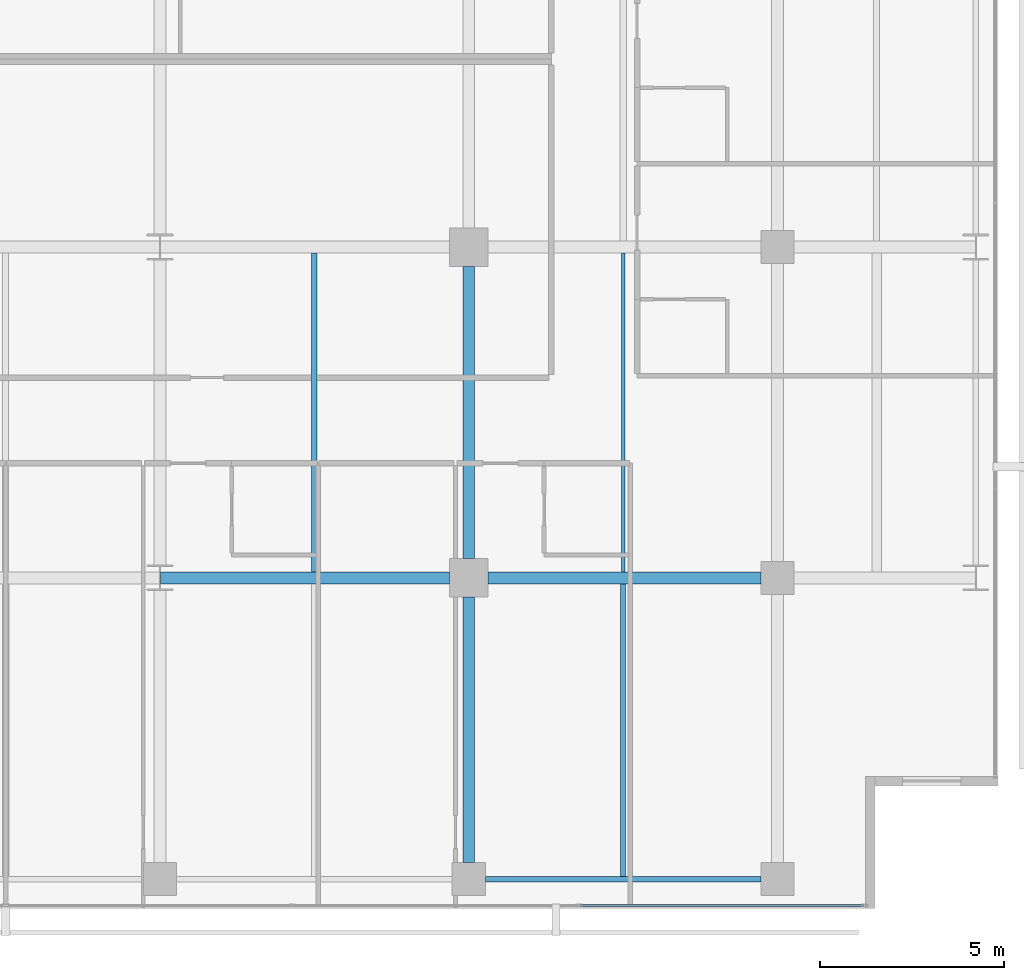
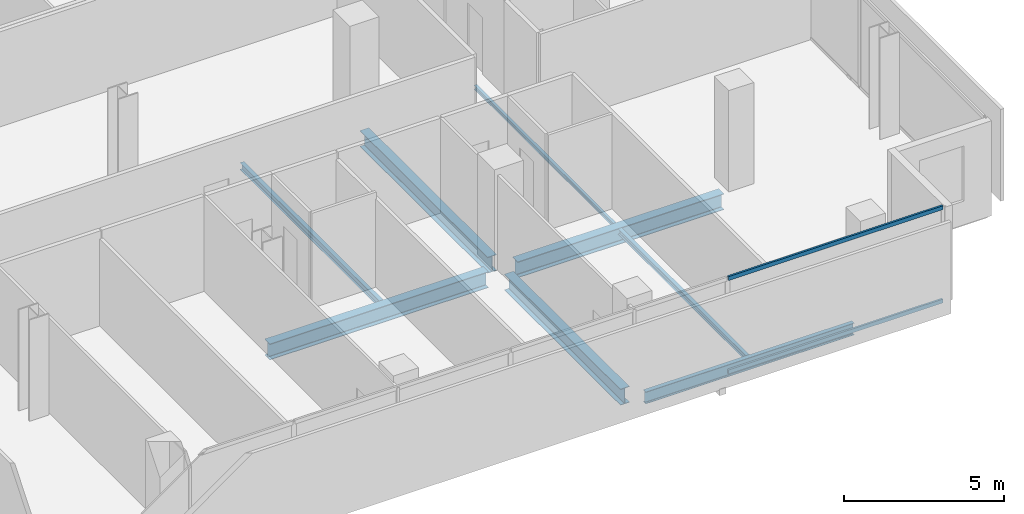
# One storey, part 15 of 40: 8 beams, 2 members, 1 element without a shape of its own.
"""IFC4 building model written with IfcOpenShell, lengths in metres."""

from ifc_helpers import new_model, si_unit, direction, frame, origin, origin_2d, place, context, subcontext, project, spatial, hollow_rectangle, i_section, extrude, material, layer, layer_set, material_profile, profile_set, type_object, element, aggregate, save


model = new_model("IFC4")

# Units and contexts
model_context = context("Model", 3, precision=1e-05, world=origin(), true_north=direction((0.0, 1.0)))
body_context = subcontext(model_context, "Body", "Model", "MODEL_VIEW")
ifc_project = project(units=[si_unit("LENGTHUNIT", "METRE"), si_unit("AREAUNIT", "SQUARE_METRE"), si_unit("VOLUMEUNIT", "CUBIC_METRE"), si_unit("PLANEANGLEUNIT", "RADIAN"), si_unit("MASSUNIT", "GRAM", prefix="KILO")], contexts=[model_context])

# Site, building, storey
site_placement = place(None, origin())
site = spatial("IfcSite", under=ifc_project, at=site_placement, CompositionType="ELEMENT")
building_placement = place(site_placement, origin())
building = spatial("IfcBuilding", under=site, at=building_placement, Name="Maruvema Waterfront Hotel and Observation Tower", CompositionType="ELEMENT")
storey_placement = place(building_placement, frame((0.0, 0.0, 92.39990234375)))
storey = spatial("IfcBuildingStorey", under=building, at=storey_placement, Name="L22", CompositionType="ELEMENT", Elevation=92.39990234375)

# Curtain wall, members
ifc_material_1 = material(Name="Anodised bronze aluminium and solar-control low-E IGU", Category="aluminium")
ifc_layer = layer(ifc_material_1, 0.159912109375, Name="Zone 1 Bronze Inner Thermal Curtain Wall System CW-02")
ifc_layer_set = layer_set([ifc_layer], Name="Anodised bronze aluminium and solar-control low-E IGU")
curtain_wall_type = type_object("IfcCurtainWallType", Name="Zone 1 Bronze Inner Thermal Curtain Wall System CW-02", PredefinedType="USERDEFINED", material=ifc_layer_set)
curtain_wall_placement = place(storey_placement, origin())
curtain_wall = element("IfcCurtainWall", 1, at=curtain_wall_placement, inside=storey, type_object=curtain_wall_type, Name="L22 Curtain Wall CW-L22-S", ObjectType="UNITISED CURTAIN WALL", PredefinedType="USERDEFINED")
ifc_material_2 = material(Name="Anodised architectural bronze aluminium", Category="aluminium")
ifc_material_profile_1 = material_profile(ifc_material_2, hollow_rectangle(XDim=0.070068359375, YDim=0.14990234375, WallThickness=0.00390625, at=origin_2d()), Name="ALU-T70x150")
ifc_profile_set_1 = profile_set([ifc_material_profile_1], Name="Anodised architectural bronze aluminium")
member_type = type_object("IfcMemberType", Name="Curtain Wall Horizontal Transom ALU-T70x150", PredefinedType="USERDEFINED", material=ifc_profile_set_1)
member_1_placement = place(storey_placement, frame((53.429931640625, 0.080078125, 0.030029296875), z_axis=(1.0, 0.0, 0.0), x_axis=(0.0, 1.0, 0.0)))
member_1 = element("IfcMember", 2, at=member_1_placement, type_object=member_type, Name="CW-02 transom 6.1", ObjectType="TRANSOM", PredefinedType="USERDEFINED", context=body_context, shape_type="SweptSolid", body=[
    extrude(hollow_rectangle(XDim=0.070068359375, YDim=0.14990234375, WallThickness=0.00390625, at=origin_2d()), origin(), (0.0, 0.0, 1.0), 7.7099609375),
])
member_2_placement = place(storey_placement, frame((53.429931640625, 0.080078125, 3.580078125), z_axis=(1.0, 0.0, 0.0), x_axis=(0.0, 1.0, 0.0)))
member_2 = element("IfcMember", 3, at=member_2_placement, type_object=member_type, Name="CW-02 transom 6.2", ObjectType="TRANSOM", PredefinedType="USERDEFINED", context=body_context, shape_type="SweptSolid", body=[
    extrude(hollow_rectangle(XDim=0.070068359375, YDim=0.14990234375, WallThickness=0.00390625, at=origin_2d()), origin(), (0.0, 0.0, 1.0), 7.7099609375),
])
aggregate(curtain_wall, [member_1, member_2])

# Beams
ifc_material_3 = material(Name="Steel ASTM A572 Grade 50", Category="steel")
ifc_material_profile_2 = material_profile(ifc_material_3, i_section(OverallWidth=0.153076171875, OverallDepth=0.455078125, WebThickness=0.008056640625, FlangeThickness=0.01318359375, FilletRadius=0.014892578125, at=origin_2d()), Name="W460x60.0")
ifc_profile_set_2 = profile_set([ifc_material_profile_2], Name="Steel ASTM A572 Grade 50")
beam_type_1 = type_object("IfcBeamType", Name="Perimeter Spandrel Beam W460x60.0", PredefinedType="SPANDREL", material=ifc_profile_set_2)
beam_1_placement = place(storey_placement, frame((50.85009765625, 0.800048828125, -0.46728515625), z_axis=(1.0, 0.0, 0.0), x_axis=(0.0, 1.0, 0.0)))
element("IfcBeam", 4, at=beam_1_placement, inside=storey, type_object=beam_type_1, Name="L22 Floor Girder EW-05", PredefinedType="SPANDREL", context=body_context, shape_type="SweptSolid", body=[
    extrude(i_section(OverallWidth=0.153076171875, OverallDepth=0.455078125, WebThickness=0.008056640625, FlangeThickness=0.01318359375, FilletRadius=0.014892578125, at=origin_2d()), origin(), (0.0, 0.0, 1.0), 7.5),
])
ifc_material_4 = material(Name="Steel ASTM A572 Grade 50", Category="steel")
ifc_material_profile_3 = material_profile(ifc_material_4, i_section(OverallWidth=0.323974609375, OverallDepth=0.611083984375, WebThickness=0.0126953125, FlangeThickness=0.01904296875, FilletRadius=0.01806640625, at=origin_2d()), Name="W610x155.0")
ifc_profile_set_3 = profile_set([ifc_material_profile_3], Name="Steel ASTM A572 Grade 50")
beam_type_2 = type_object("IfcBeamType", Name="Primary Floor Girder W610x155.0", PredefinedType="BEAM", material=ifc_profile_set_3)
beam_2_placement = place(storey_placement, frame((42.013916015625, 9.0, -0.54541015625), z_axis=(1.0, 0.0, 0.0), x_axis=(0.0, 1.0, 0.0)))
element("IfcBeam", 5, at=beam_2_placement, inside=storey, type_object=beam_type_2, Name="L22 Floor Girder EW-10", PredefinedType="BEAM", context=body_context, shape_type="SweptSolid", body=[
    extrude(i_section(OverallWidth=0.323974609375, OverallDepth=0.611083984375, WebThickness=0.0126953125, FlangeThickness=0.01904296875, FilletRadius=0.01806640625, at=origin_2d()), origin(), (0.0, 0.0, 1.0), 7.861083984375),
])
beam_3_placement = place(storey_placement, frame((50.925048828125, 9.0, -0.54541015625), z_axis=(1.0, 0.0, 0.0), x_axis=(0.0, 1.0, 0.0)))
element("IfcBeam", 6, at=beam_3_placement, inside=storey, type_object=beam_type_2, Name="L22 Floor Girder EW-11", PredefinedType="BEAM", context=body_context, shape_type="SweptSolid", body=[
    extrude(i_section(OverallWidth=0.323974609375, OverallDepth=0.611083984375, WebThickness=0.0126953125, FlangeThickness=0.01904296875, FilletRadius=0.01806640625, at=origin_2d()), origin(), (0.0, 0.0, 1.0), 7.425048828125),
])
beam_4_placement = place(storey_placement, frame((50.39990234375, 1.25, -0.54541015625), z_axis=(0.0, 1.0, 0.0), x_axis=(-1.0, 0.0, 0.0)))
element("IfcBeam", 7, at=beam_4_placement, inside=storey, type_object=beam_type_2, Name="L22 Floor Girder NS-22", PredefinedType="BEAM", context=body_context, shape_type="SweptSolid", body=[
    extrude(i_section(OverallWidth=0.323974609375, OverallDepth=0.611083984375, WebThickness=0.0126953125, FlangeThickness=0.01904296875, FilletRadius=0.01806640625, at=origin_2d()), origin(), (0.0, 0.0, 1.0), 7.22509765625),
])
beam_5_placement = place(storey_placement, frame((50.39990234375, 9.52490234375, -0.54541015625), z_axis=(0.0, 1.0, 0.0), x_axis=(-1.0, 0.0, 0.0)))
element("IfcBeam", 8, at=beam_5_placement, inside=storey, type_object=beam_type_2, Name="L22 Floor Girder NS-23", PredefinedType="BEAM", context=body_context, shape_type="SweptSolid", body=[
    extrude(i_section(OverallWidth=0.323974609375, OverallDepth=0.611083984375, WebThickness=0.0126953125, FlangeThickness=0.01904296875, FilletRadius=0.01806640625, at=origin_2d()), origin(), (0.0, 0.0, 1.0), 7.9501953125),
])
ifc_material_5 = material(Name="Steel ASTM A572 Grade 50", Category="steel")
ifc_material_profile_4 = material_profile(ifc_material_5, i_section(OverallWidth=0.10009765625, OverallDepth=0.153076171875, WebThickness=0.005859375, FlangeThickness=0.007080078125, FilletRadius=0.008056640625, at=origin_2d()), Name="W150x18.0")
ifc_profile_set_4 = profile_set([ifc_material_profile_4], Name="Steel ASTM A572 Grade 50")
beam_type_3 = type_object("IfcBeamType", Name="Secondary Floor Joist W150x18.0", PredefinedType="JOIST", material=ifc_profile_set_4)
beam_6_placement = place(storey_placement, frame((54.60009765625, 9.162109375, -0.31640625), z_axis=(0.0, 1.0, 0.0), x_axis=(-1.0, 0.0, 0.0)))
element("IfcBeam", 9, at=beam_6_placement, inside=storey, type_object=beam_type_3, Name="L22 Secondary Floor Joist JS-17", PredefinedType="JOIST", context=body_context, shape_type="SweptSolid", body=[
    extrude(i_section(OverallWidth=0.10009765625, OverallDepth=0.153076171875, WebThickness=0.005859375, FlangeThickness=0.007080078125, FilletRadius=0.008056640625, at=origin_2d()), origin(), (0.0, 0.0, 1.0), 8.67578125),
])
ifc_material_6 = material(Name="Steel ASTM A572 Grade 50", Category="steel")
ifc_material_profile_5 = material_profile(ifc_material_6, i_section(OverallWidth=0.133056640625, OverallDepth=0.20703125, WebThickness=0.005859375, FlangeThickness=0.00830078125, FilletRadius=0.010009765625, at=origin_2d()), Name="W200x26.6")
ifc_profile_set_5 = profile_set([ifc_material_profile_5], Name="Steel ASTM A572 Grade 50")
beam_type_4 = type_object("IfcBeamType", Name="Secondary Floor Joist W200x26.6", PredefinedType="JOIST", material=ifc_profile_set_5)
beam_7_placement = place(storey_placement, frame((54.60009765625, 0.87646484375, -0.343505859375), z_axis=(0.0, 1.0, 0.0), x_axis=(-1.0, 0.0, 0.0)))
element("IfcBeam", 10, at=beam_7_placement, inside=storey, type_object=beam_type_4, Name="L22 Secondary Floor Joist JS-16", PredefinedType="JOIST", context=body_context, shape_type="SweptSolid", body=[
    extrude(i_section(OverallWidth=0.133056640625, OverallDepth=0.20703125, WebThickness=0.005859375, FlangeThickness=0.00830078125, FilletRadius=0.010009765625, at=origin_2d()), origin(), (0.0, 0.0, 1.0), 7.96142578125),
])
ifc_material_7 = material(Name="Steel ASTM A572 Grade 50", Category="steel")
ifc_material_profile_6 = material_profile(ifc_material_7, i_section(OverallWidth=0.14599609375, OverallDepth=0.258056640625, WebThickness=0.006103515625, FlangeThickness=0.009033203125, FilletRadius=0.012939453125, at=origin_2d()), Name="W250x32.7")
ifc_profile_set_6 = profile_set([ifc_material_profile_6], Name="Steel ASTM A572 Grade 50")
beam_type_5 = type_object("IfcBeamType", Name="Secondary Floor Joist W250x32.7", PredefinedType="JOIST", material=ifc_profile_set_6)
beam_8_placement = place(storey_placement, frame((46.199951171875, 9.162109375, -0.368896484375), z_axis=(0.0, 1.0, 0.0), x_axis=(-1.0, 0.0, 0.0)))
element("IfcBeam", 11, at=beam_8_placement, inside=storey, type_object=beam_type_5, Name="L22 Secondary Floor Joist JS-15", PredefinedType="JOIST", context=body_context, shape_type="SweptSolid", body=[
    extrude(i_section(OverallWidth=0.14599609375, OverallDepth=0.258056640625, WebThickness=0.006103515625, FlangeThickness=0.009033203125, FilletRadius=0.012939453125, at=origin_2d()), origin(), (0.0, 0.0, 1.0), 8.67578125),
])

save(model, "model.ifc")
